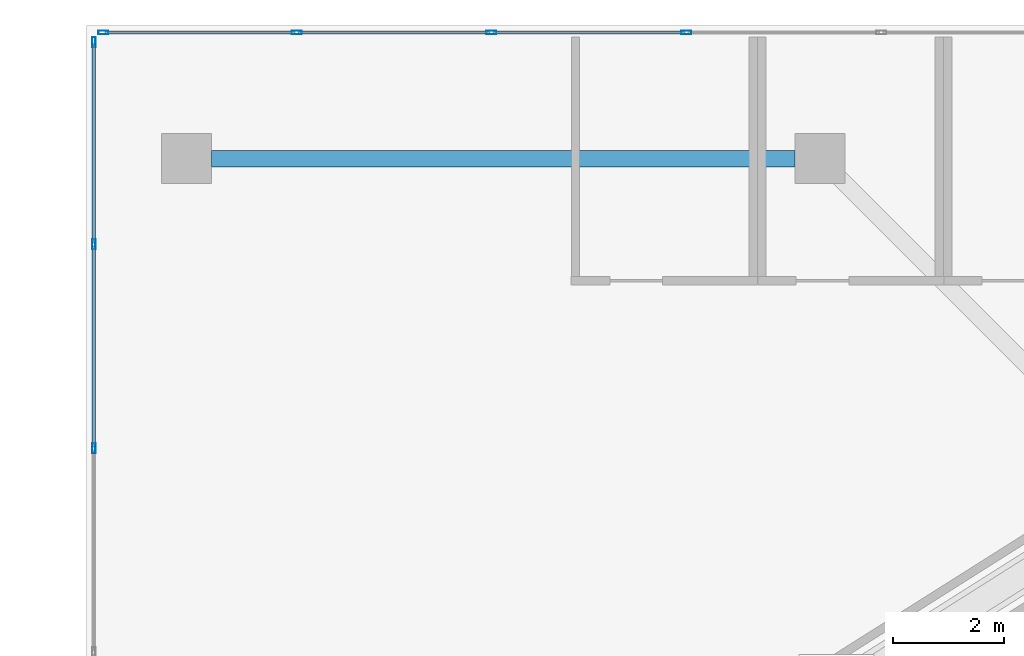
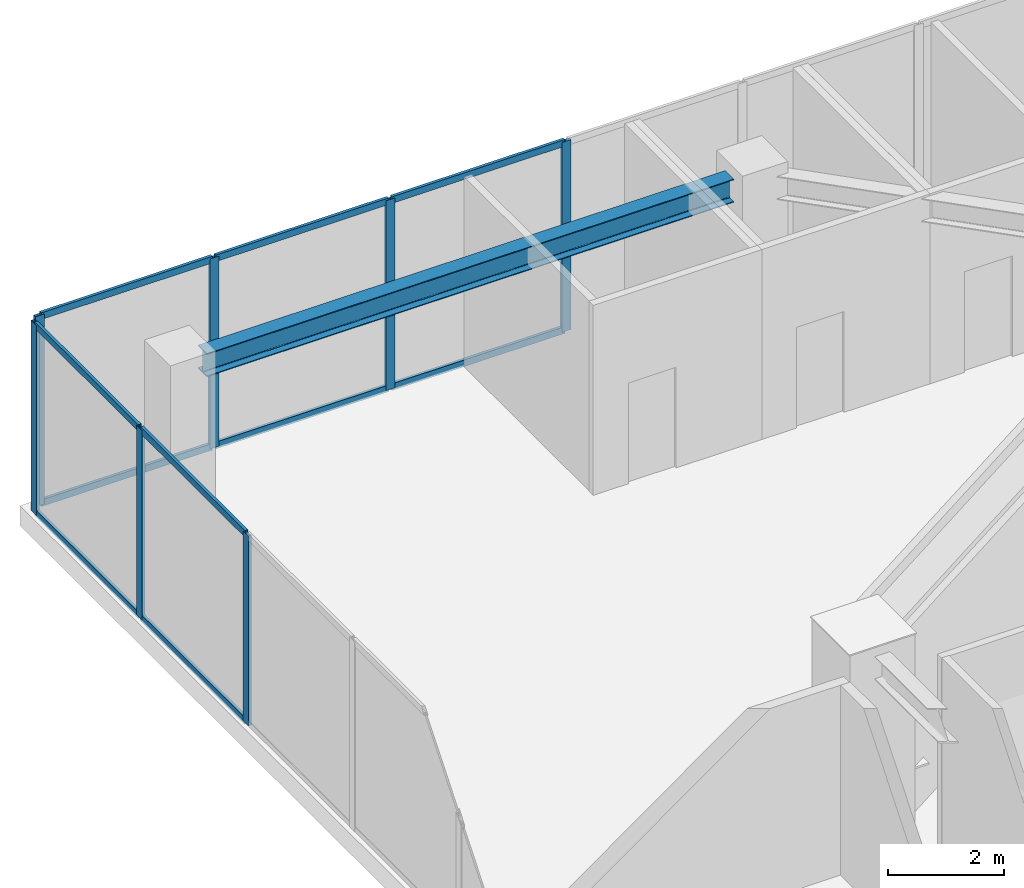
# One storey, part 10 of 39: 17 members, 1 beam, 2 elements without a shape of their own.
"""IFC4 building model written with IfcOpenShell, lengths in metres."""

import ifcopenshell
import ifcopenshell.guid

model = None  # the IFC model being written
_history = None  # IfcOwnerHistory: only IFC2X3 demands one
_inside = {}  # id of a spatial element -> (the spatial element, [elements in it])
_under = {}  # id of a project, library or spatial element -> (it, [spatial elements below it])
_declared = {}  # id of a project -> (the project, [libraries it declares])
_typed = {}  # id of a type object -> (the type object, [elements of that type])
_made_of = {}  # id of a material, layer set ... -> (it, [elements and type objects made of it])


def new_model(schema):
    """Start an empty IFC model of exactly this schema.

    Asked for "IFC4X3", IfcOpenShell would pick the latest addendum, in which some entities
    have other attributes; the version numbers below select the first issue.
    IFC2X3 requires an IfcOwnerHistory on every rooted entity: one is made here for all.
    """
    global model, _history
    if schema == "IFC4X3":
        model = ifcopenshell.file(schema_version=(4, 3, 0, 0))
    else:
        model = ifcopenshell.file(schema=schema)
    _inside.clear()
    _under.clear()
    _declared.clear()
    _typed.clear()
    _made_of.clear()
    _history = None
    if model.schema == "IFC2X3":
        org = make("IfcOrganization", Name="unknown")
        user = make(
            "IfcPersonAndOrganization",
            ThePerson=make("IfcPerson", FamilyName="unknown"),
            TheOrganization=org,
        )
        app = make(
            "IfcApplication",
            ApplicationDeveloper=org,
            Version="unknown",
            ApplicationFullName="unknown",
            ApplicationIdentifier="unknown",
        )
        _history = make(
            "IfcOwnerHistory",
            OwningUser=user,
            OwningApplication=app,
            ChangeAction="ADDED",
            CreationDate=0,
        )
    return model


def make(cls, **values):
    """One entity of the class cls with the attributes given. An attribute that is None is left unset."""
    return model.create_entity(
        cls, **{name: value for name, value in values.items() if value is not None}
    )


def rooted(cls, **values):
    """An entity with a GlobalId (a new one), such as an element, a storey or a relation."""
    return make(cls, GlobalId=ifcopenshell.guid.new(), OwnerHistory=_history, **values)


def si_unit(unit_type, name, prefix=None):
    """IfcSIUnit, for example si_unit("LENGTHUNIT", "METRE", prefix="MILLI")."""
    return make("IfcSIUnit", UnitType=unit_type, Prefix=prefix, Name=name)


def assignment(units):
    """IfcUnitAssignment: the units of a project."""
    return None if units is None else make("IfcUnitAssignment", Units=units)


def point(xyz):
    """IfcCartesianPoint."""
    return None if xyz is None else make("IfcCartesianPoint", Coordinates=xyz)


def direction(xyz):
    """IfcDirection."""
    return None if xyz is None else make("IfcDirection", DirectionRatios=xyz)


def frame(location, z_axis=None, x_axis=None):
    """IfcAxis2Placement3D, a coordinate frame: its origin and axes. An axis left out is left unset."""
    return make(
        "IfcAxis2Placement3D",
        Location=point(location),
        Axis=direction(z_axis),
        RefDirection=direction(x_axis),
    )


def frame_2d(location, x_axis=None):
    """IfcAxis2Placement2D, a coordinate frame in the plane: its origin and x axis."""
    return make(
        "IfcAxis2Placement2D", Location=point(location), RefDirection=direction(x_axis)
    )


def origin():
    """The frame at (0, 0, 0) with its axes left unset."""
    return frame((0.0, 0.0, 0.0))


def origin_2d():
    """The frame at (0, 0) in the plane with its x axis left unset."""
    return frame_2d((0.0, 0.0))


def place(relative_to, where):
    """IfcLocalPlacement: puts the frame where relative to a parent placement (None: the world)."""
    return make(
        "IfcLocalPlacement", PlacementRelTo=relative_to, RelativePlacement=where
    )


def context(
    kind, dimensions, precision=None, world=None, true_north=None, identifier=None
):
    """IfcGeometricRepresentationContext, for example the 3D "Model" context."""
    return make(
        "IfcGeometricRepresentationContext",
        ContextIdentifier=identifier,
        ContextType=kind,
        CoordinateSpaceDimension=dimensions,
        Precision=precision,
        WorldCoordinateSystem=world,
        TrueNorth=true_north,
    )


def subcontext(parent, identifier, kind, view, scale=None):
    """IfcGeometricRepresentationSubContext, for example "Body" below "Model"."""
    return make(
        "IfcGeometricRepresentationSubContext",
        ContextIdentifier=identifier,
        ContextType=kind,
        ParentContext=parent,
        TargetScale=scale,
        TargetView=view,
    )


def project(units=None, contexts=None):
    """IfcProject with its units and contexts."""
    return rooted(
        "IfcProject",
        Name="project",
        RepresentationContexts=contexts,
        UnitsInContext=assignment(units),
    )


def spatial(cls, under=None, at=None, **own):
    """A site, building, storey or space (cls), placed at a placement, below another one or the project."""
    s = rooted(cls, ObjectPlacement=at, **own)
    if under is not None:
        _under.setdefault(under.id(), (under, []))[1].append(s)
    return s


def profile(cls, at=None, kind="AREA", **sizes):
    """A parametric profile (cls). Its sizes go by their IFC names, for example OverallWidth=200.0."""
    return make(cls, ProfileType=kind, Position=at, **sizes)


def hollow_rectangle(**sizes):
    """IfcRectangleHollowProfileDef."""
    return profile("IfcRectangleHollowProfileDef", **sizes)


def i_section(**sizes):
    """IfcIShapeProfileDef."""
    return profile("IfcIShapeProfileDef", **sizes)


def extrude(swept, where, along, depth):
    """IfcExtrudedAreaSolid: the profile swept, set in the frame where, extruded along a direction by depth."""
    return make(
        "IfcExtrudedAreaSolid",
        SweptArea=swept,
        Position=where,
        ExtrudedDirection=direction(along),
        Depth=depth,
    )


def shape(context_of_items, identifier, shape_type, items):
    """IfcShapeRepresentation: the items that make up one representation, for example the "Body"."""
    return make(
        "IfcShapeRepresentation",
        ContextOfItems=context_of_items,
        RepresentationIdentifier=identifier,
        RepresentationType=shape_type,
        Items=items,
    )


def material(Name=None, Category=None):
    """IfcMaterial."""
    return make("IfcMaterial", Name=Name, Category=Category)


def layer(
    of_material, thickness, ventilated=None, Name=None, Category=None, Priority=None
):
    """IfcMaterialLayer: one layer of a wall or slab, of a material (None: an air gap)."""
    return make(
        "IfcMaterialLayer",
        Material=of_material,
        LayerThickness=thickness,
        IsVentilated=ventilated,
        Name=Name,
        Category=Category,
        Priority=Priority,
    )


def layer_set(layers, Name=None):
    """IfcMaterialLayerSet."""
    return make("IfcMaterialLayerSet", MaterialLayers=layers, LayerSetName=Name)


def material_profile(
    of_material, cross_section, Name=None, Category=None, Priority=None
):
    """IfcMaterialProfile: a cross section and its material."""
    return make(
        "IfcMaterialProfile",
        Name=Name,
        Material=of_material,
        Profile=cross_section,
        Priority=Priority,
        Category=Category,
    )


def profile_set(profiles, Name=None, composite=None):
    """IfcMaterialProfileSet."""
    return make(
        "IfcMaterialProfileSet",
        Name=Name,
        MaterialProfiles=profiles,
        CompositeProfile=composite,
    )


def made_of(thing, what):
    """Note that an element or type object is made of a material, layer set ...; save() writes the relation."""
    if what is not None:
        _made_of.setdefault(what.id(), (what, []))[1].append(thing)
    return thing


def type_object(cls, material=None, **own):
    """A type object (cls), such as IfcWallType, which elements share."""
    return made_of(rooted(cls, **own), material)


def element(
    cls,
    number,
    at=None,
    inside=None,
    cuts=None,
    type_object=None,
    material=None,
    context=None,
    identifier="Body",
    shape_type=None,
    held_by="IfcProductDefinitionShape",
    body=None,
    shapes=None,
    **own,
):
    """One element of the class cls, such as IfcWall. Its Tag is "e" and its number.

    at: its placement. inside: the storey or other place that contains it. cuts: it is an
    opening in that element (IfcRelVoidsElement). A single representation is given by context,
    identifier, shape_type and body (its items); several are given by shapes. held_by: the class
    of the entity that holds the representations. save() writes the other relations.
    """
    e = rooted(cls, Tag="e%d" % number, ObjectPlacement=at, **own)
    if body is not None:
        shapes = [shape(context, identifier, shape_type, body)]
    if shapes is not None:
        e.Representation = make(held_by, Representations=shapes)
    if inside is not None:
        _inside.setdefault(inside.id(), (inside, []))[1].append(e)
    if cuts is not None:
        rooted(
            "IfcRelVoidsElement", RelatingBuildingElement=cuts, RelatedOpeningElement=e
        )
    if type_object is not None:
        _typed.setdefault(type_object.id(), (type_object, []))[1].append(e)
    return made_of(e, material)


def aggregate(whole, parts):
    """IfcRelAggregates: a whole, such as a stair, and the parts it consists of."""
    return rooted("IfcRelAggregates", RelatingObject=whole, RelatedObjects=parts)


def save(model, path):
    """Write the relations noted so far, then the file.

    IfcRelAggregates (storeys below a building ...), IfcRelContainedInSpatialStructure (elements
    in a storey), IfcRelDefinesByType, IfcRelAssociatesMaterial and IfcRelDeclares: one each for
    every whole, place, type object, material and project.
    """
    for whole, parts in _under.values():
        aggregate(whole, parts)
    for where, things in _inside.values():
        rooted(
            "IfcRelContainedInSpatialStructure",
            RelatedElements=things,
            RelatingStructure=where,
        )
    for kind, things in _typed.values():
        rooted("IfcRelDefinesByType", RelatedObjects=things, RelatingType=kind)
    for what, things in _made_of.values():
        rooted("IfcRelAssociatesMaterial", RelatedObjects=things, RelatingMaterial=what)
    for by, libraries in _declared.values():
        rooted("IfcRelDeclares", RelatingContext=by, RelatedDefinitions=libraries)
    model.write(path)


model = new_model("IFC4")

# Units and contexts
model_context = context("Model", 3, precision=1e-05, world=origin(), true_north=direction((0.0, 1.0)))
body_context = subcontext(model_context, "Body", "Model", "MODEL_VIEW")
ifc_project = project(units=[si_unit("LENGTHUNIT", "METRE"), si_unit("AREAUNIT", "SQUARE_METRE"), si_unit("VOLUMEUNIT", "CUBIC_METRE"), si_unit("PLANEANGLEUNIT", "RADIAN"), si_unit("MASSUNIT", "GRAM", prefix="KILO")], contexts=[model_context])

# Site, building, storey
site_placement = place(None, origin())
site = spatial("IfcSite", under=ifc_project, at=site_placement, CompositionType="ELEMENT")
building_placement = place(site_placement, origin())
building = spatial("IfcBuilding", under=site, at=building_placement, Name="Haolan Belvedere Tower", CompositionType="ELEMENT")
storey_placement = place(building_placement, frame((0.0, 0.0, 19.800048828125)))
storey = spatial("IfcBuildingStorey", under=building, at=storey_placement, Name="L04", CompositionType="ELEMENT", Elevation=19.800048828125)

# Beam
ifc_material_1 = material(Name="Steel Q355B", Category="steel")
ifc_material_profile_1 = material_profile(ifc_material_1, i_section(OverallWidth=0.300048828125, OverallDepth=0.488037109375, WebThickness=0.010986328125, FlangeThickness=0.01806640625, FilletRadius=0.02587890625, at=origin_2d()), Name="Steel Q355B")
ifc_profile_set_1 = profile_set([ifc_material_profile_1], Name="Steel Q355B")
beam_type = type_object("IfcBeamType", Name="BM-HM488x300x11x18", PredefinedType="SPANDREL", material=ifc_profile_set_1)
beam_placement = place(storey_placement, frame((7.050048828125, 51.60009765625, 3.716064453125), z_axis=(1.0, 0.0, 0.0), x_axis=(0.0, 1.0, 0.0)))
element("IfcBeam", 1, at=beam_placement, inside=storey, type_object=beam_type, Name="L04 spandrel girder PC-NW-1-PC-NW-2", PredefinedType="SPANDREL", context=body_context, shape_type="SweptSolid", body=[
    extrude(i_section(OverallWidth=0.300048828125, OverallDepth=0.488037109375, WebThickness=0.010986328125, FlangeThickness=0.01806640625, FilletRadius=0.02587890625, at=origin_2d()), origin(), (0.0, 0.0, 1.0), 10.5),
])

# Curtain wall, members
ifc_material_2 = material(Name="Anodised champagne-silver aluminium 6063-T6 and Low-E glass", Category="aluminium")
ifc_layer = layer(ifc_material_2, 0.179931640625, Name="Anodised champagne-silver aluminium 6063-T6 and Low-E glass")
ifc_layer_set = layer_set([ifc_layer], Name="Anodised champagne-silver aluminium 6063-T6 and Low-E glass")
curtain_wall_type = type_object("IfcCurtainWallType", Name="CW-SYS-01", PredefinedType="NOTDEFINED", material=ifc_layer_set)
curtain_wall_1_placement = place(storey_placement, origin())
curtain_wall_1 = element("IfcCurtainWall", 2, at=curtain_wall_1_placement, inside=storey, type_object=curtain_wall_type, Name="L04 CW-SYS-01 ribbon curtain wall 3.1", PredefinedType="NOTDEFINED")
ifc_material_3 = material(Name="Anodised aluminium 6063-T6", Category="aluminium")
ifc_material_profile_2 = material_profile(ifc_material_3, hollow_rectangle(XDim=0.06494140625, YDim=0.179931640625, WallThickness=0.00390625, at=origin_2d()), Name="Anodised aluminium 6063-T6")
ifc_profile_set_2 = profile_set([ifc_material_profile_2], Name="Anodised aluminium 6063-T6")
member_type_1 = type_object("IfcMemberType", Name="CW-SYS-01-MUL", PredefinedType="MULLION", material=ifc_profile_set_2)
member_1_placement = place(storey_placement, frame((15.59521484375, 53.8701171875, 0.0), z_axis=(0.0, 0.0, 1.0), x_axis=(0.0, -1.0, 0.0)))
member_1 = element("IfcMember", 3, at=member_1_placement, type_object=member_type_1, Name="CW-01 mullion 17", PredefinedType="MULLION", context=body_context, shape_type="SweptSolid", body=[
    extrude(hollow_rectangle(XDim=0.06494140625, YDim=0.179931640625, WallThickness=0.00390625, at=origin_2d()), origin(), (0.0, 0.0, 1.0), 4.0),
])
member_2_placement = place(storey_placement, frame((12.0869140625, 53.8701171875, 0.0), z_axis=(0.0, 0.0, 1.0), x_axis=(0.0, -1.0, 0.0)))
member_2 = element("IfcMember", 4, at=member_2_placement, type_object=member_type_1, Name="CW-01 mullion 18", PredefinedType="MULLION", context=body_context, shape_type="SweptSolid", body=[
    extrude(hollow_rectangle(XDim=0.06494140625, YDim=0.179931640625, WallThickness=0.00390625, at=origin_2d()), origin(), (0.0, 0.0, 1.0), 4.0),
])
member_3_placement = place(storey_placement, frame((8.578369140625, 53.8701171875, 0.0), z_axis=(0.0, 0.0, 1.0), x_axis=(0.0, -1.0, 0.0)))
member_3 = element("IfcMember", 5, at=member_3_placement, type_object=member_type_1, Name="CW-01 mullion 19", PredefinedType="MULLION", context=body_context, shape_type="SweptSolid", body=[
    extrude(hollow_rectangle(XDim=0.06494140625, YDim=0.179931640625, WallThickness=0.00390625, at=origin_2d()), origin(), (0.0, 0.0, 1.0), 4.0),
])
member_4_placement = place(storey_placement, frame((5.1025390625, 53.8701171875, 0.0), z_axis=(0.0, 0.0, 1.0), x_axis=(0.0, -1.0, 0.0)))
member_4 = element("IfcMember", 6, at=member_4_placement, type_object=member_type_1, Name="CW-01 mullion 20", PredefinedType="MULLION", context=body_context, shape_type="SweptSolid", body=[
    extrude(hollow_rectangle(XDim=0.06494140625, YDim=0.179931640625, WallThickness=0.00390625, at=origin_2d()), origin(), (0.0, 0.0, 1.0), 4.0),
])

curtain_wall_2_placement = place(storey_placement, origin())
curtain_wall_2 = element("IfcCurtainWall", 7, at=curtain_wall_2_placement, inside=storey, type_object=curtain_wall_type, Name="L04 CW-SYS-01 ribbon curtain wall 4.1", PredefinedType="NOTDEFINED")
member_5_placement = place(storey_placement, frame((4.929931640625, 53.697509765625, 0.0), z_axis=(0.0, 0.0, 1.0), x_axis=(1.0, 0.0, 0.0)))
member_5 = element("IfcMember", 8, at=member_5_placement, type_object=member_type_1, Name="CW-01 mullion 1", PredefinedType="MULLION", context=body_context, shape_type="SweptSolid", body=[
    extrude(hollow_rectangle(XDim=0.06494140625, YDim=0.179931640625, WallThickness=0.00390625, at=origin_2d()), origin(), (0.0, 0.0, 1.0), 4.0),
])
member_6_placement = place(storey_placement, frame((4.929931640625, 50.056396484375, 0.0), z_axis=(0.0, 0.0, 1.0), x_axis=(1.0, 0.0, 0.0)))
member_6 = element("IfcMember", 9, at=member_6_placement, type_object=member_type_1, Name="CW-01 mullion 2", PredefinedType="MULLION", context=body_context, shape_type="SweptSolid", body=[
    extrude(hollow_rectangle(XDim=0.06494140625, YDim=0.179931640625, WallThickness=0.00390625, at=origin_2d()), origin(), (0.0, 0.0, 1.0), 4.0),
])
member_7_placement = place(storey_placement, frame((4.929931640625, 46.3828125, 0.0), z_axis=(0.0, 0.0, 1.0), x_axis=(1.0, 0.0, 0.0)))
member_7 = element("IfcMember", 10, at=member_7_placement, type_object=member_type_1, Name="CW-01 mullion 3", PredefinedType="MULLION", context=body_context, shape_type="SweptSolid", body=[
    extrude(hollow_rectangle(XDim=0.06494140625, YDim=0.179931640625, WallThickness=0.00390625, at=origin_2d()), origin(), (0.0, 0.0, 1.0), 4.0),
])

# Member
ifc_material_profile_3 = material_profile(ifc_material_3, hollow_rectangle(XDim=0.06005859375, YDim=0.139892578125, WallThickness=0.00390625, at=origin_2d()), Name="Anodised aluminium 6063-T6")
ifc_profile_set_3 = profile_set([ifc_material_profile_3], Name="Anodised aluminium 6063-T6")
member_type_2 = type_object("IfcMemberType", Name="CW-SYS-01-TRN", PredefinedType="USERDEFINED", material=ifc_profile_set_3)
member_8_placement = place(storey_placement, frame((15.562744140625, 53.8701171875, 0.030029296875), z_axis=(-1.0, 0.0, 0.0), x_axis=(0.0, -1.0, 0.0)))
member_8 = element("IfcMember", 11, at=member_8_placement, type_object=member_type_2, Name="CW-01 transom 17.1", ObjectType="TRANSOM", PredefinedType="USERDEFINED", context=body_context, shape_type="SweptSolid", body=[
    extrude(hollow_rectangle(XDim=0.06005859375, YDim=0.139892578125, WallThickness=0.00390625, at=origin_2d()), origin(), (0.0, 0.0, 1.0), 3.443359375),
])

member_9_placement = place(storey_placement, frame((15.562744140625, 53.8701171875, 3.969970703125), z_axis=(-1.0, 0.0, 0.0), x_axis=(0.0, -1.0, 0.0)))
member_9 = element("IfcMember", 12, at=member_9_placement, type_object=member_type_2, Name="CW-01 transom 17.2", ObjectType="TRANSOM", PredefinedType="USERDEFINED", context=body_context, shape_type="SweptSolid", body=[
    extrude(hollow_rectangle(XDim=0.06005859375, YDim=0.139892578125, WallThickness=0.00390625, at=origin_2d()), origin(), (0.0, 0.0, 1.0), 3.443359375),
])

member_10_placement = place(storey_placement, frame((12.054443359375, 53.8701171875, 0.030029296875), z_axis=(-1.0, 0.0, 0.0), x_axis=(0.0, -1.0, 0.0)))
member_10 = element("IfcMember", 13, at=member_10_placement, type_object=member_type_2, Name="CW-01 transom 18.1", ObjectType="TRANSOM", PredefinedType="USERDEFINED", context=body_context, shape_type="SweptSolid", body=[
    extrude(hollow_rectangle(XDim=0.06005859375, YDim=0.139892578125, WallThickness=0.00390625, at=origin_2d()), origin(), (0.0, 0.0, 1.0), 3.443603515625),
])

member_11_placement = place(storey_placement, frame((12.054443359375, 53.8701171875, 3.969970703125), z_axis=(-1.0, 0.0, 0.0), x_axis=(0.0, -1.0, 0.0)))
member_11 = element("IfcMember", 14, at=member_11_placement, type_object=member_type_2, Name="CW-01 transom 18.2", ObjectType="TRANSOM", PredefinedType="USERDEFINED", context=body_context, shape_type="SweptSolid", body=[
    extrude(hollow_rectangle(XDim=0.06005859375, YDim=0.139892578125, WallThickness=0.00390625, at=origin_2d()), origin(), (0.0, 0.0, 1.0), 3.443603515625),
])

member_12_placement = place(storey_placement, frame((8.5458984375, 53.8701171875, 0.030029296875), z_axis=(-1.0, 0.0, 0.0), x_axis=(0.0, -1.0, 0.0)))
member_12 = element("IfcMember", 15, at=member_12_placement, type_object=member_type_2, Name="CW-01 transom 19.1", ObjectType="TRANSOM", PredefinedType="USERDEFINED", context=body_context, shape_type="SweptSolid", body=[
    extrude(hollow_rectangle(XDim=0.06005859375, YDim=0.139892578125, WallThickness=0.00390625, at=origin_2d()), origin(), (0.0, 0.0, 1.0), 3.410888671875),
])

member_13_placement = place(storey_placement, frame((8.5458984375, 53.8701171875, 3.969970703125), z_axis=(-1.0, 0.0, 0.0), x_axis=(0.0, -1.0, 0.0)))
member_13 = element("IfcMember", 16, at=member_13_placement, type_object=member_type_2, Name="CW-01 transom 19.2", ObjectType="TRANSOM", PredefinedType="USERDEFINED", context=body_context, shape_type="SweptSolid", body=[
    extrude(hollow_rectangle(XDim=0.06005859375, YDim=0.139892578125, WallThickness=0.00390625, at=origin_2d()), origin(), (0.0, 0.0, 1.0), 3.410888671875),
])

aggregate(curtain_wall_1, [member_1, member_2, member_3, member_4, member_8, member_9, member_10, member_11, member_12, member_13])

member_14_placement = place(storey_placement, frame((4.929931640625, 53.6650390625, 0.030029296875), z_axis=(0.0, -1.0, 0.0), x_axis=(1.0, 0.0, 0.0)))
member_14 = element("IfcMember", 17, at=member_14_placement, type_object=member_type_2, Name="CW-01 transom 1.1", ObjectType="TRANSOM", PredefinedType="USERDEFINED", context=body_context, shape_type="SweptSolid", body=[
    extrude(hollow_rectangle(XDim=0.06005859375, YDim=0.139892578125, WallThickness=0.00390625, at=origin_2d()), origin(), (0.0, 0.0, 1.0), 3.576171875),
])

member_15_placement = place(storey_placement, frame((4.929931640625, 53.6650390625, 3.969970703125), z_axis=(0.0, -1.0, 0.0), x_axis=(1.0, 0.0, 0.0)))
member_15 = element("IfcMember", 18, at=member_15_placement, type_object=member_type_2, Name="CW-01 transom 1.2", ObjectType="TRANSOM", PredefinedType="USERDEFINED", context=body_context, shape_type="SweptSolid", body=[
    extrude(hollow_rectangle(XDim=0.06005859375, YDim=0.139892578125, WallThickness=0.00390625, at=origin_2d()), origin(), (0.0, 0.0, 1.0), 3.576171875),
])

member_16_placement = place(storey_placement, frame((4.929931640625, 50.02392578125, 0.030029296875), z_axis=(0.0, -1.0, 0.0), x_axis=(1.0, 0.0, 0.0)))
member_16 = element("IfcMember", 19, at=member_16_placement, type_object=member_type_2, Name="CW-01 transom 2.1", ObjectType="TRANSOM", PredefinedType="USERDEFINED", context=body_context, shape_type="SweptSolid", body=[
    extrude(hollow_rectangle(XDim=0.06005859375, YDim=0.139892578125, WallThickness=0.00390625, at=origin_2d()), origin(), (0.0, 0.0, 1.0), 3.608642578125),
])

member_17_placement = place(storey_placement, frame((4.929931640625, 50.02392578125, 3.969970703125), z_axis=(0.0, -1.0, 0.0), x_axis=(1.0, 0.0, 0.0)))
member_17 = element("IfcMember", 20, at=member_17_placement, type_object=member_type_2, Name="CW-01 transom 2.2", ObjectType="TRANSOM", PredefinedType="USERDEFINED", context=body_context, shape_type="SweptSolid", body=[
    extrude(hollow_rectangle(XDim=0.06005859375, YDim=0.139892578125, WallThickness=0.00390625, at=origin_2d()), origin(), (0.0, 0.0, 1.0), 3.608642578125),
])

aggregate(curtain_wall_2, [member_5, member_6, member_7, member_14, member_15, member_16, member_17])

save(model, "model.ifc")
